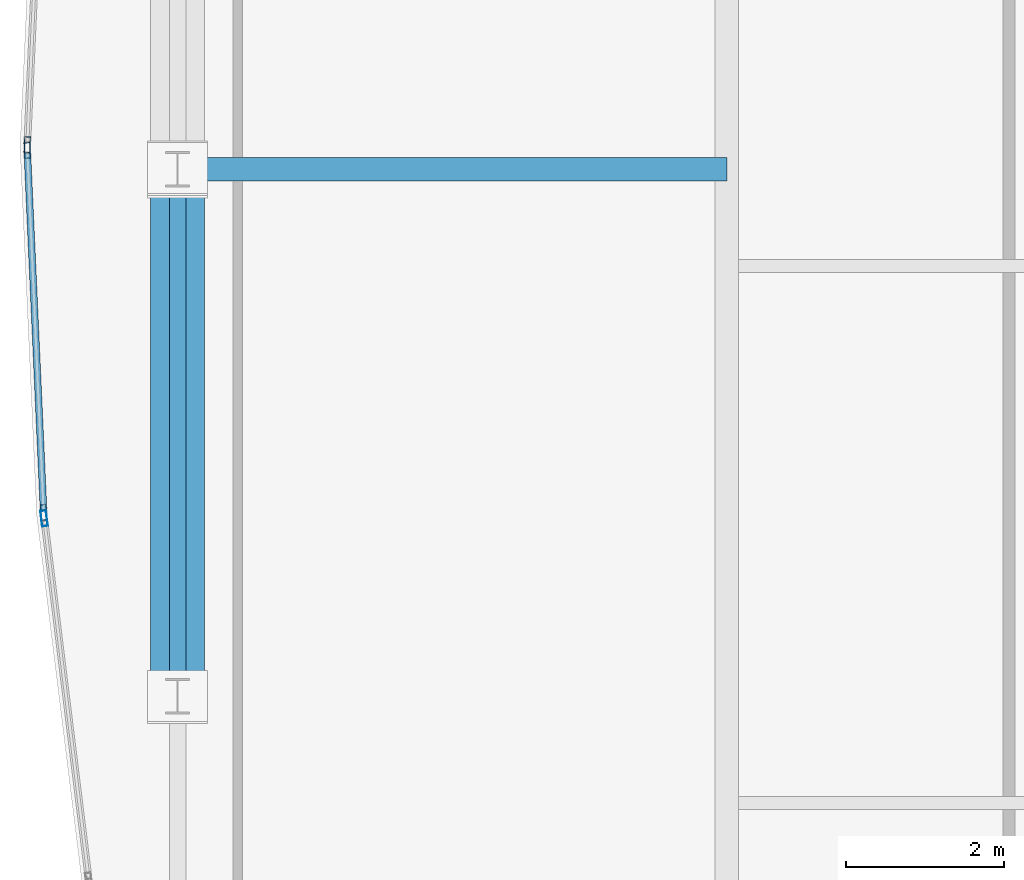
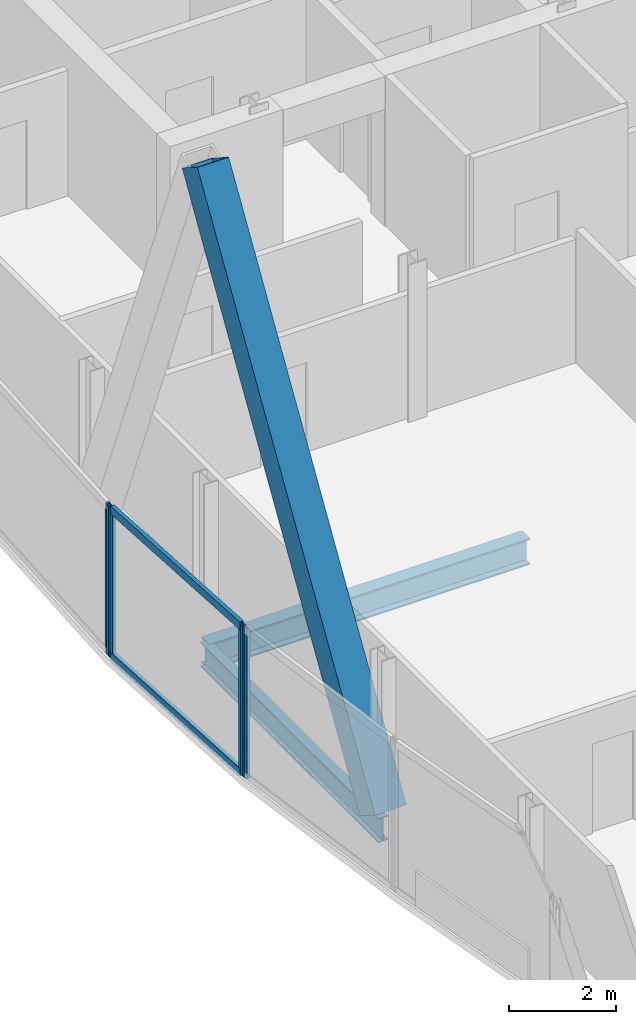
# One storey, part 9 of 29: 7 members, 2 beams, 3 elements without a shape of their own.
"""IFC4 building model written with IfcOpenShell, lengths in metres."""

from ifc_helpers import new_model, si_unit, direction, frame, origin, origin_2d, place, context, subcontext, project, spatial, hollow_rectangle, i_section, extrude, material, material_profile, profile_set, type_object, element, aggregate, save


model = new_model("IFC4")

# Units and contexts
model_context = context("Model", 3, precision=1e-05, world=origin(), true_north=direction((0.0, 1.0)))
body_context = subcontext(model_context, "Body", "Model", "MODEL_VIEW")
ifc_project = project(units=[si_unit("LENGTHUNIT", "METRE"), si_unit("AREAUNIT", "SQUARE_METRE"), si_unit("VOLUMEUNIT", "CUBIC_METRE"), si_unit("PLANEANGLEUNIT", "RADIAN"), si_unit("MASSUNIT", "GRAM", prefix="KILO")], contexts=[model_context])

# Site, building, storey
site_placement = place(None, origin())
site = spatial("IfcSite", under=ifc_project, at=site_placement, CompositionType="ELEMENT")
building_placement = place(site_placement, origin())
building = spatial("IfcBuilding", under=site, at=building_placement, Name="Khoronbel Lancet Exchange", CompositionType="ELEMENT")
storey_placement = place(building_placement, frame((0.0, 0.0, 336.199951171875)))
storey = spatial("IfcBuildingStorey", under=building, at=storey_placement, Name="L87", CompositionType="ELEMENT", Elevation=336.199951171875)

# Beams
ifc_material_1 = material(Name="Steel S355", Category="steel")
ifc_material_profile_1 = material_profile(ifc_material_1, i_section(OverallWidth=0.300048828125, OverallDepth=0.60009765625, WebThickness=0.015380859375, FlangeThickness=0.030029296875, at=origin_2d()), Name="HEB 600")
ifc_profile_set_1 = profile_set([ifc_material_profile_1], Name="Steel S355")
beam_type_1 = type_object("IfcBeamType", Name="BM-BG5", PredefinedType="BEAM", material=ifc_profile_set_1)
beam_1_placement = place(storey_placement, frame((11.27001953125, 31.425048828125, -0.4599609375), z_axis=(1.0, 0.0, 0.0), x_axis=(0.0, 1.0, 0.0)))
element("IfcBeam", 1, at=beam_1_placement, inside=storey, type_object=beam_type_1, Name="Level L87 west lens tie girder LG2W", PredefinedType="BEAM", context=body_context, shape_type="SweptSolid", body=[
    extrude(i_section(OverallWidth=0.300048828125, OverallDepth=0.60009765625, WebThickness=0.015380859375, FlangeThickness=0.030029296875, at=origin_2d()), origin(), (0.0, 0.0, 1.0), 6.955078125),
])
ifc_material_profile_2 = material_profile(ifc_material_1, i_section(OverallWidth=0.2099609375, OverallDepth=0.550048828125, WebThickness=0.010986328125, FlangeThickness=0.01708984375, at=origin_2d()), Name="IPE 550")
ifc_profile_set_2 = profile_set([ifc_material_profile_2], Name="Steel S355")
beam_type_2 = type_object("IfcBeamType", Name="BM-BSP3", PredefinedType="SPANDREL", material=ifc_profile_set_2)
beam_2_placement = place(storey_placement, frame((11.27001953125, 31.425048828125, -0.43505859375), z_axis=(0.0, -1.0, 0.0), x_axis=(1.0, 0.0, 0.0)))
element("IfcBeam", 2, at=beam_2_placement, inside=storey, type_object=beam_type_2, Name="Level L87 perimeter spandrel beam SP17", PredefinedType="SPANDREL", context=body_context, shape_type="SweptSolid", body=[
    extrude(i_section(OverallWidth=0.2099609375, OverallDepth=0.550048828125, WebThickness=0.010986328125, FlangeThickness=0.01708984375, at=origin_2d()), origin(), (0.0, 0.0, 1.0), 6.675048828125),
])

# Curtain wall, member
ifc_material_2 = material(Name="Low-E Solar Control Insulating Glass", Category="glass")
curtain_wall_type = type_object("IfcCurtainWallType", Name="CW-4", PredefinedType="NOTDEFINED", material=ifc_material_2)
curtain_wall_1_placement = place(storey_placement, origin())
curtain_wall_1 = element("IfcCurtainWall", 3, at=curtain_wall_1_placement, inside=storey, type_object=curtain_wall_type, Name="Unitised curtain wall CW-L87-E05", PredefinedType="NOTDEFINED")
ifc_material_3 = material(Name="Bronze-Anodised Aluminium 6063-T6", Category="aluminium")
ifc_material_profile_3 = material_profile(ifc_material_3, hollow_rectangle(XDim=0.074951171875, YDim=0.199951171875, WallThickness=0.0048828125, at=origin_2d()), Name="ALU MULLION 75x200")
ifc_profile_set_3 = profile_set([ifc_material_profile_3], Name="Bronze-Anodised Aluminium 6063-T6")
member_type_1 = type_object("IfcMemberType", Name="MEM-CWM2", PredefinedType="MULLION", material=ifc_profile_set_3)
member_1_placement = place(storey_placement, frame((9.580322265625, 27.003662109375, 0.0), z_axis=(0.0, 0.0, 1.0), x_axis=(-0.992456344352, -0.122598550384, 0.0)))
member_1 = element("IfcMember", 4, at=member_1_placement, type_object=member_type_1, Name="CW4 mullion 2", PredefinedType="MULLION", context=body_context, shape_type="SweptSolid", body=[
    extrude(hollow_rectangle(XDim=0.074951171875, YDim=0.199951171875, WallThickness=0.0048828125, at=origin_2d()), origin(), (0.0, 0.0, 1.0), 3.43994140625),
])
aggregate(curtain_wall_1, [member_1])

# Curtain wall, members
curtain_wall_2_placement = place(storey_placement, origin())
curtain_wall_2 = element("IfcCurtainWall", 5, at=curtain_wall_2_placement, inside=storey, type_object=curtain_wall_type, Name="Unitised curtain wall CW-L87-E06", PredefinedType="NOTDEFINED")
member_2_placement = place(storey_placement, frame((9.57421875, 27.078369140625, 0.0), z_axis=(0.0, 0.0, 1.0), x_axis=(-0.998978991195, -0.04517715298, 0.0)))
member_2 = element("IfcMember", 6, at=member_2_placement, type_object=member_type_1, Name="CW4 mullion 1", PredefinedType="MULLION", context=body_context, shape_type="SweptSolid", body=[
    extrude(hollow_rectangle(XDim=0.074951171875, YDim=0.199951171875, WallThickness=0.0048828125, at=origin_2d()), origin(), (0.0, 0.0, 1.0), 3.43994140625),
])
member_3_placement = place(storey_placement, frame((9.36669921875, 31.66259765625, 0.0), z_axis=(0.0, 0.0, 1.0), x_axis=(-0.998978991195, -0.04517715298, 0.0)))
member_3 = element("IfcMember", 7, at=member_3_placement, type_object=member_type_1, Name="CW4 mullion 2", PredefinedType="MULLION", context=body_context, shape_type="SweptSolid", body=[
    extrude(hollow_rectangle(XDim=0.074951171875, YDim=0.199951171875, WallThickness=0.0048828125, at=origin_2d()), origin(), (0.0, 0.0, 1.0), 3.43994140625),
])

# Curtain wall, member
curtain_wall_3_placement = place(storey_placement, origin())
curtain_wall_3 = element("IfcCurtainWall", 8, at=curtain_wall_3_placement, inside=storey, type_object=curtain_wall_type, Name="Unitised curtain wall CW-L87-E07", PredefinedType="NOTDEFINED")
member_4_placement = place(storey_placement, frame((9.36669921875, 31.737548828125, 0.0), z_axis=(0.0, 0.0, 1.0), x_axis=(-0.998978991195, 0.04517715298, 0.0)))
member_4 = element("IfcMember", 9, at=member_4_placement, type_object=member_type_1, Name="CW4 mullion 1", PredefinedType="MULLION", context=body_context, shape_type="SweptSolid", body=[
    extrude(hollow_rectangle(XDim=0.074951171875, YDim=0.199951171875, WallThickness=0.0048828125, at=origin_2d()), origin(), (0.0, 0.0, 1.0), 3.43994140625),
])
aggregate(curtain_wall_3, [member_4])

# Member
ifc_material_profile_4 = material_profile(ifc_material_3, hollow_rectangle(XDim=0.0849609375, YDim=0.179931640625, WallThickness=0.0048828125, at=origin_2d()), Name="ALU TRANSOM 85x180")
ifc_profile_set_4 = profile_set([ifc_material_profile_4], Name="Bronze-Anodised Aluminium 6063-T6")
member_type_2 = type_object("IfcMemberType", Name="MEM-CWT1", PredefinedType="USERDEFINED", material=ifc_profile_set_4)
member_5_placement = place(storey_placement, frame((9.572509765625, 27.11572265625, 0.04248046875), z_axis=(-0.045216294325, 0.998977220325, 0.0), x_axis=(-0.998977220325, -0.045216294325, 0.0)))
member_5 = element("IfcMember", 10, at=member_5_placement, type_object=member_type_2, Name="CW4 transom 1.1", ObjectType="TRANSOM", PredefinedType="USERDEFINED", context=body_context, shape_type="SweptSolid", body=[
    extrude(hollow_rectangle(XDim=0.0849609375, YDim=0.179931640625, WallThickness=0.0048828125, at=origin_2d()), origin(), (0.0, 0.0, 1.0), 4.513916015625),
])

member_6_placement = place(storey_placement, frame((9.572509765625, 27.11572265625, 3.3974609375), z_axis=(-0.045216294325, 0.998977220325, 0.0), x_axis=(-0.998977220325, -0.045216294325, 0.0)))
member_6 = element("IfcMember", 11, at=member_6_placement, type_object=member_type_2, Name="CW4 transom 1.2", ObjectType="TRANSOM", PredefinedType="USERDEFINED", context=body_context, shape_type="SweptSolid", body=[
    extrude(hollow_rectangle(XDim=0.0849609375, YDim=0.179931640625, WallThickness=0.0048828125, at=origin_2d()), origin(), (0.0, 0.0, 1.0), 4.513916015625),
])

aggregate(curtain_wall_2, [member_2, member_3, member_5, member_6])

ifc_material_4 = material(Name="Steel S460", Category="steel")
ifc_material_profile_5 = material_profile(ifc_material_4, hollow_rectangle(XDim=0.679931640625, YDim=0.679931640625, WallThickness=0.044921875, at=origin_2d()), Name="BOX 680x680x45")
ifc_profile_set_5 = profile_set([ifc_material_profile_5], Name="Steel S460")
member_type_3 = type_object("IfcMemberType", Name="MEM-MB3", PredefinedType="BRACE", material=ifc_profile_set_5)
member_7_placement = place(storey_placement, frame((11.27001953125, 24.75, 0.0), z_axis=(0.0, 0.525745449971, 0.850641946906), x_axis=(-1.0, 0.0, 0.0)))
element("IfcMember", 12, at=member_7_placement, inside=storey, type_object=member_type_3, Name="Perimeter lancet brace tier 30 W-P-L", PredefinedType="BRACE", context=body_context, shape_type="SweptSolid", body=[
    extrude(hollow_rectangle(XDim=0.679931640625, YDim=0.679931640625, WallThickness=0.044921875, at=origin_2d()), origin(), (0.0, 0.0, 1.0), 12.6962890625),
])

save(model, "model.ifc")
